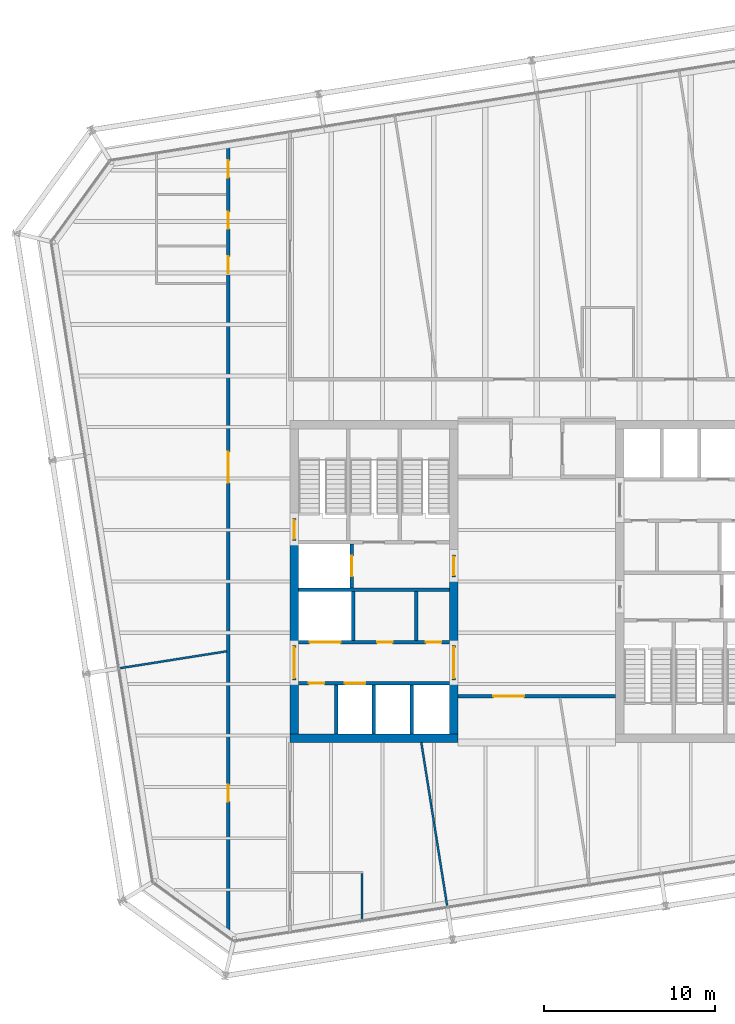
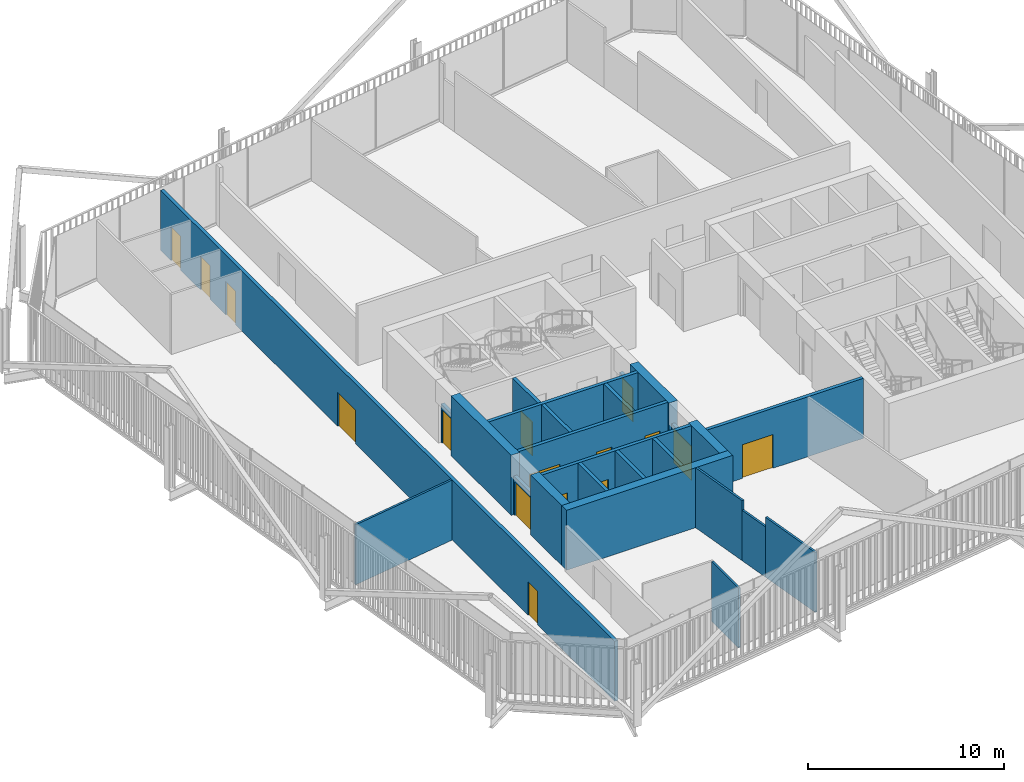
# One storey, part 17 of 21: 25 walls, 16 doors, 16 openings.
"""IFC4 building model written with IfcOpenShell, lengths in metres."""

from ifc_helpers import new_model, si_unit, direction, frame, frame_2d, origin, place, context, subcontext, project, spatial, rectangle, extrude, material, layer, layer_set, type_object, element, fill, save


model = new_model("IFC4")

# Units and contexts
model_context = context("Model", 3, precision=1e-05, world=origin(), true_north=direction((0.0, 1.0)))
body_context = subcontext(model_context, "Body", "Model", "MODEL_VIEW")
ifc_project = project(units=[si_unit("LENGTHUNIT", "METRE"), si_unit("AREAUNIT", "SQUARE_METRE"), si_unit("VOLUMEUNIT", "CUBIC_METRE"), si_unit("PLANEANGLEUNIT", "RADIAN"), si_unit("MASSUNIT", "GRAM", prefix="KILO")], contexts=[model_context])

# Site, building, storey
site_placement = place(None, origin())
site = spatial("IfcSite", under=ifc_project, at=site_placement, CompositionType="ELEMENT")
building_placement = place(site_placement, origin())
building = spatial("IfcBuilding", under=site, at=building_placement, Name="Millrace Tower", CompositionType="ELEMENT")
storey_placement = place(building_placement, frame((0.0, 0.0, 247.39990234375)))
storey = spatial("IfcBuildingStorey", under=building, at=storey_placement, Name="L56", CompositionType="ELEMENT", Elevation=247.39990234375)

# Walls
ifc_material_1 = material(Name="Concrete C60", Category="concrete")
ifc_layer_1 = layer(ifc_material_1, 0.5)
ifc_layer_set_1 = layer_set([ifc_layer_1], Name="Concrete C60")
wall_type_1 = type_object("IfcWallType", Name="Core wall 500 Concrete C60", PredefinedType="SHEAR", material=ifc_layer_set_1)
wall_1_placement = place(storey_placement, frame((-14.39990234375, -9.14990234375, 0.0), z_axis=(0.0, 0.0, 1.0), x_axis=(1.0, 0.0, 0.0)))
element("IfcWall", 1, at=wall_1_placement, inside=storey, type_object=wall_type_1, Name="Core wall W L56", PredefinedType="SHEAR", context=body_context, shape_type="SweptSolid", body=[
    extrude(rectangle(XDim=9.7998046875, YDim=0.5, at=frame_2d((4.89990234375, 0.0))), origin(), (0.0, 0.0, 1.0), 3.739990234375),
])
wall_2_placement = place(storey_placement, frame((-14.14990234375, -8.89990234375, 0.0), z_axis=(0.0, 0.0, 1.0), x_axis=(0.0, 1.0, 0.0)))
element("IfcWall", 2, at=wall_2_placement, inside=storey, type_object=wall_type_1, Name="Core wall W L56", PredefinedType="SHEAR", context=body_context, shape_type="SweptSolid", body=[
    extrude(rectangle(XDim=3.14990234375, YDim=0.5, at=frame_2d((1.574951171875, 0.0))), origin(), (0.0, 0.0, 1.0), 3.739990234375),
])
wall_3_placement = place(storey_placement, frame((-14.14990234375, -3.75, 0.0), z_axis=(0.0, 0.0, 1.0), x_axis=(0.0, 1.0, 0.0)))
element("IfcWall", 3, at=wall_3_placement, inside=storey, type_object=wall_type_1, Name="Core wall W L56", PredefinedType="SHEAR", context=body_context, shape_type="SweptSolid", body=[
    extrude(rectangle(XDim=6.1298828125, YDim=0.5, at=frame_2d((3.06494140625, 0.0))), origin(), (0.0, 0.0, 1.0), 3.739990234375),
])
wall_4_placement = place(storey_placement, frame((-4.85009765625, -8.89990234375, 0.0), z_axis=(0.0, 0.0, 1.0), x_axis=(0.0, 1.0, 0.0)))
element("IfcWall", 4, at=wall_4_placement, inside=storey, type_object=wall_type_1, Name="Core wall W L56", PredefinedType="SHEAR", context=body_context, shape_type="SweptSolid", body=[
    extrude(rectangle(XDim=3.14990234375, YDim=0.5, at=frame_2d((1.574951171875, 0.0))), origin(), (0.0, 0.0, 1.0), 3.739990234375),
])
wall_5_placement = place(storey_placement, frame((-4.85009765625, -3.75, 0.0), z_axis=(0.0, 0.0, 1.0), x_axis=(0.0, 1.0, 0.0)))
element("IfcWall", 5, at=wall_5_placement, inside=storey, type_object=wall_type_1, Name="Core wall W L56", PredefinedType="SHEAR", context=body_context, shape_type="SweptSolid", body=[
    extrude(rectangle(XDim=4.0, YDim=0.5, at=frame_2d((2.0, 0.0))), origin(), (0.0, 0.0, 1.0), 3.739990234375),
])

# Wall, opening, door
ifc_material_2 = material(Name="Masonry partition, fire-rated", Category="masonry")
ifc_layer_2 = layer(ifc_material_2, 0.199951171875)
ifc_layer_set_2 = layer_set([ifc_layer_2], Name="Masonry partition, fire-rated")
wall_type_2 = type_object("IfcWallType", Name="Corridor wall 200", PredefinedType="PARTITIONING", material=ifc_layer_set_2)
wall_6_placement = place(storey_placement, frame((-4.60009765625, -6.699951171875, 0.0), z_axis=(0.0, 0.0, 1.0), x_axis=(1.0, 0.0, 0.0)))
wall_6 = element("IfcWall", 6, at=wall_6_placement, inside=storey, type_object=wall_type_2, Name="Corridor wall L56", PredefinedType="PARTITIONING", context=body_context, shape_type="SweptSolid", body=[
    extrude(rectangle(XDim=9.2001953125, YDim=0.199951171875, at=frame_2d((4.60009765625, 0.0))), origin(), (0.0, 0.0, 1.0), 3.739990234375),
])
opening_1_placement = place(wall_6_placement, frame((2.070068359375, 0.0, 0.0)))
opening_1 = element("IfcOpeningElement", 7, at=opening_1_placement, cuts=wall_6, Name="Opening 56-P013", PredefinedType="OPENING", context=body_context, shape_type="SweptSolid", body=[
    extrude(rectangle(XDim=1.800048828125, YDim=2.10009765625, at=frame_2d((0.89990234375, 1.050048828125))), frame((0.0, 0.10986328125, 0.0), z_axis=(0.0, -1.0, 0.0), x_axis=(1.0, 0.0, 0.0)), (0.0, 0.0, 1.0), 0.219970703125),
])
ifc_material_3 = material(Name="Steel door set, fire-rated", Category="steel")
door_type_1 = type_object("IfcDoorType", Name="Corridor door 1800 x 2100", OperationType="DOUBLE_DOOR_SINGLE_SWING", PredefinedType="DOOR", material=ifc_material_3)
door_1_placement = place(opening_1_placement, frame((1.800048828125, 0.0, 0.0), z_axis=(0.0, 0.0, 1.0), x_axis=(-1.0, 0.0, 0.0)))
door_1 = element("IfcDoor", 8, at=door_1_placement, inside=storey, type_object=door_type_1, Name="Door 56-P013", OperationType="DOUBLE_DOOR_SINGLE_SWING", OverallHeight=2.10009765625, OverallWidth=1.800048828125, PredefinedType="DOOR", context=body_context, shape_type="SweptSolid", body=[
    extrude(rectangle(XDim=1.800048828125, YDim=2.10009765625, at=frame_2d((0.89990234375, 1.050048828125))), frame((0.0, 0.02490234375, 0.0), z_axis=(0.0, -1.0, 0.0), x_axis=(1.0, 0.0, 0.0)), (0.0, 0.0, 1.0), 0.050048828125),
])
fill(opening_1, door_1)

# Wall, openings, doors
wall_7_placement = place(storey_placement, frame((-18.0, -20.72021484375, 0.0), z_axis=(0.0, 0.0, 1.0), x_axis=(0.0, 1.0, 0.0)))
wall_7 = element("IfcWall", 9, at=wall_7_placement, inside=storey, type_object=wall_type_2, Name="Corridor wall L56", PredefinedType="PARTITIONING", context=body_context, shape_type="SweptSolid", body=[
    extrude(rectangle(XDim=46.34814453125, YDim=0.199951171875, at=frame_2d((23.174072265625, 0.0))), origin(), (0.0, 0.0, 1.0), 3.739990234375),
])
opening_2_placement = place(wall_7_placement, frame((7.857177734375, 0.0, 0.0)))
opening_2 = element("IfcOpeningElement", 10, at=opening_2_placement, cuts=wall_7, Name="Opening 56-P003", PredefinedType="OPENING", context=body_context, shape_type="SweptSolid", body=[
    extrude(rectangle(XDim=1.0, YDim=2.10009765625, at=frame_2d((0.5, 1.050048828125))), frame((0.0, 0.10986328125, 0.0), z_axis=(0.0, -1.0, 0.0), x_axis=(1.0, 0.0, 0.0)), (0.0, 0.0, 1.0), 0.219970703125),
])
opening_3_placement = place(wall_7_placement, frame((26.474853515625, 0.0, 0.0)))
opening_3 = element("IfcOpeningElement", 11, at=opening_3_placement, cuts=wall_7, Name="Opening 56-P004", PredefinedType="OPENING", context=body_context, shape_type="SweptSolid", body=[
    extrude(rectangle(XDim=1.800048828125, YDim=2.10009765625, at=frame_2d((0.89990234375, 1.050048828125))), frame((0.0, 0.10986328125, 0.0), z_axis=(0.0, -1.0, 0.0), x_axis=(1.0, 0.0, 0.0)), (0.0, 0.0, 1.0), 0.219970703125),
])
opening_4_placement = place(wall_7_placement, frame((44.29736328125, 0.0, 0.0)))
opening_4 = element("IfcOpeningElement", 12, at=opening_4_placement, cuts=wall_7, Name="Opening 56-P015", PredefinedType="OPENING", context=body_context, shape_type="SweptSolid", body=[
    extrude(rectangle(XDim=1.0, YDim=2.10009765625, at=frame_2d((0.5, 1.050048828125))), frame((0.0, 0.10986328125, 0.0), z_axis=(0.0, -1.0, 0.0), x_axis=(1.0, 0.0, 0.0)), (0.0, 0.0, 1.0), 0.219970703125),
])
opening_5_placement = place(wall_7_placement, frame((41.29736328125, 0.0, 0.0)))
opening_5 = element("IfcOpeningElement", 13, at=opening_5_placement, cuts=wall_7, Name="Opening 56-P016", PredefinedType="OPENING", context=body_context, shape_type="SweptSolid", body=[
    extrude(rectangle(XDim=1.0, YDim=2.10009765625, at=frame_2d((0.5, 1.050048828125))), frame((0.0, 0.10986328125, 0.0), z_axis=(0.0, -1.0, 0.0), x_axis=(1.0, 0.0, 0.0)), (0.0, 0.0, 1.0), 0.219970703125),
])
opening_6_placement = place(wall_7_placement, frame((38.697265625, 0.0, 0.0)))
opening_6 = element("IfcOpeningElement", 14, at=opening_6_placement, cuts=wall_7, Name="Opening 56-P017", PredefinedType="OPENING", context=body_context, shape_type="SweptSolid", body=[
    extrude(rectangle(XDim=1.0, YDim=2.10009765625, at=frame_2d((0.5, 1.050048828125))), frame((0.0, 0.10986328125, 0.0), z_axis=(0.0, -1.0, 0.0), x_axis=(1.0, 0.0, 0.0)), (0.0, 0.0, 1.0), 0.219970703125),
])
ifc_material_4 = material(Name="Steel door set, fire-rated", Category="steel")
door_type_2 = type_object("IfcDoorType", Name="Corridor door 1000 x 2100", OperationType="SINGLE_SWING_LEFT", PredefinedType="DOOR", material=ifc_material_4)
door_2_placement = place(opening_2_placement, origin())
door_2 = element("IfcDoor", 15, at=door_2_placement, inside=storey, type_object=door_type_2, Name="Door 56-P003", OperationType="SINGLE_SWING_LEFT", OverallHeight=2.10009765625, OverallWidth=1.0, PredefinedType="DOOR", context=body_context, shape_type="SweptSolid", body=[
    extrude(rectangle(XDim=1.0, YDim=2.10009765625, at=frame_2d((0.5, 1.050048828125))), frame((0.0, 0.02490234375, 0.0), z_axis=(0.0, -1.0, 0.0), x_axis=(1.0, 0.0, 0.0)), (0.0, 0.0, 1.0), 0.050048828125),
])
fill(opening_2, door_2)
door_3_placement = place(opening_4_placement, origin())
door_3 = element("IfcDoor", 16, at=door_3_placement, inside=storey, type_object=door_type_2, Name="Door 56-P015", OperationType="SINGLE_SWING_RIGHT", OverallHeight=2.10009765625, OverallWidth=1.0, PredefinedType="DOOR", context=body_context, shape_type="SweptSolid", body=[
    extrude(rectangle(XDim=1.0, YDim=2.10009765625, at=frame_2d((0.5, 1.050048828125))), frame((0.0, 0.02490234375, 0.0), z_axis=(0.0, -1.0, 0.0), x_axis=(1.0, 0.0, 0.0)), (0.0, 0.0, 1.0), 0.050048828125),
])
fill(opening_4, door_3)
door_4_placement = place(opening_5_placement, origin())
door_4 = element("IfcDoor", 17, at=door_4_placement, inside=storey, type_object=door_type_2, Name="Door 56-P016", OperationType="SINGLE_SWING_RIGHT", OverallHeight=2.10009765625, OverallWidth=1.0, PredefinedType="DOOR", context=body_context, shape_type="SweptSolid", body=[
    extrude(rectangle(XDim=1.0, YDim=2.10009765625, at=frame_2d((0.5, 1.050048828125))), frame((0.0, 0.02490234375, 0.0), z_axis=(0.0, -1.0, 0.0), x_axis=(1.0, 0.0, 0.0)), (0.0, 0.0, 1.0), 0.050048828125),
])
fill(opening_5, door_4)
door_5_placement = place(opening_6_placement, origin())
door_5 = element("IfcDoor", 18, at=door_5_placement, inside=storey, type_object=door_type_2, Name="Door 56-P017", OperationType="SINGLE_SWING_RIGHT", OverallHeight=2.10009765625, OverallWidth=1.0, PredefinedType="DOOR", context=body_context, shape_type="SweptSolid", body=[
    extrude(rectangle(XDim=1.0, YDim=2.10009765625, at=frame_2d((0.5, 1.050048828125))), frame((0.0, 0.02490234375, 0.0), z_axis=(0.0, -1.0, 0.0), x_axis=(1.0, 0.0, 0.0)), (0.0, 0.0, 1.0), 0.050048828125),
])
fill(opening_6, door_5)
door_6_placement = place(opening_3_placement, frame((1.800048828125, 0.0, 0.0), z_axis=(0.0, 0.0, 1.0), x_axis=(-1.0, 0.0, 0.0)))
door_6 = element("IfcDoor", 19, at=door_6_placement, inside=storey, type_object=door_type_1, Name="Door 56-P004", OperationType="DOUBLE_DOOR_SINGLE_SWING", OverallHeight=2.10009765625, OverallWidth=1.800048828125, PredefinedType="DOOR", context=body_context, shape_type="SweptSolid", body=[
    extrude(rectangle(XDim=1.800048828125, YDim=2.10009765625, at=frame_2d((0.89990234375, 1.050048828125))), frame((0.0, 0.02490234375, 0.0), z_axis=(0.0, -1.0, 0.0), x_axis=(1.0, 0.0, 0.0)), (0.0, 0.0, 1.0), 0.050048828125),
])
fill(opening_3, door_6)

ifc_material_5 = material(Name="Masonry partition, fire-rated", Category="masonry")
ifc_layer_3 = layer(ifc_material_5, 0.199951171875)
ifc_layer_set_3 = layer_set([ifc_layer_3], Name="Masonry partition, fire-rated")
wall_type_3 = type_object("IfcWallType", Name="Lift shaft wall 200", PredefinedType="PARTITIONING", material=ifc_layer_set_3)
wall_8_placement = place(storey_placement, frame((-13.89990234375, -5.949951171875, 0.0), z_axis=(0.0, 0.0, 1.0), x_axis=(1.0, 0.0, 0.0)))
wall_8 = element("IfcWall", 20, at=wall_8_placement, inside=storey, type_object=wall_type_3, Name="Lift shaft wall W L56", PredefinedType="PARTITIONING", context=body_context, shape_type="SweptSolid", body=[
    extrude(rectangle(XDim=8.7998046875, YDim=0.199951171875, at=frame_2d((4.39990234375, 0.0))), origin(), (0.0, 0.0, 1.0), 3.739990234375),
])
opening_7_placement = place(wall_8_placement, frame((2.699951171875, 0.0, 0.0)))
opening_7 = element("IfcOpeningElement", 21, at=opening_7_placement, cuts=wall_8, Name="Opening 56-LD02", PredefinedType="OPENING", context=body_context, shape_type="SweptSolid", body=[
    extrude(rectangle(XDim=1.199951171875, YDim=2.10009765625, at=frame_2d((0.60009765625, 1.050048828125))), frame((0.0, 0.10986328125, 0.0), z_axis=(0.0, -1.0, 0.0), x_axis=(1.0, 0.0, 0.0)), (0.0, 0.0, 1.0), 0.219970703125),
])
opening_8_placement = place(wall_8_placement, frame((0.60009765625, 0.0, 0.0)))
opening_8 = element("IfcOpeningElement", 22, at=opening_8_placement, cuts=wall_8, Name="Opening 56-C005", PredefinedType="OPENING", context=body_context, shape_type="SweptSolid", body=[
    extrude(rectangle(XDim=0.89990234375, YDim=2.10009765625, at=frame_2d((0.449951171875, 1.050048828125))), frame((0.0, 0.10986328125, 0.0), z_axis=(0.0, -1.0, 0.0), x_axis=(1.0, 0.0, 0.0)), (0.0, 0.0, 1.0), 0.219970703125),
])
ifc_material_6 = material(Name="Stainless steel, fire-rated", Category="steel")
door_type_3 = type_object("IfcDoorType", Name="Lift landing door 1200 x 2100", OperationType="DOUBLE_DOOR_SLIDING", PredefinedType="DOOR", material=ifc_material_6)
door_7_placement = place(opening_7_placement, origin())
door_7 = element("IfcDoor", 23, at=door_7_placement, inside=storey, type_object=door_type_3, Name="Lift landing door LF2 L56", OperationType="DOUBLE_DOOR_SLIDING", OverallHeight=2.10009765625, OverallWidth=1.199951171875, PredefinedType="DOOR", context=body_context, shape_type="SweptSolid", body=[
    extrude(rectangle(XDim=1.199951171875, YDim=2.10009765625, at=frame_2d((0.60009765625, 1.050048828125))), frame((0.0, 0.02490234375, 0.0), z_axis=(0.0, -1.0, 0.0), x_axis=(1.0, 0.0, 0.0)), (0.0, 0.0, 1.0), 0.050048828125),
])
fill(opening_7, door_7)
ifc_material_7 = material(Name="Steel door, fire-rated", Category="steel")
door_type_4 = type_object("IfcDoorType", Name="Service room door 900 x 2100", OperationType="SINGLE_SWING_LEFT", PredefinedType="DOOR", material=ifc_material_7)
door_8_placement = place(opening_8_placement, frame((0.89990234375, 0.0, 0.0), z_axis=(0.0, 0.0, 1.0), x_axis=(-1.0, 0.0, 0.0)))
door_8 = element("IfcDoor", 24, at=door_8_placement, inside=storey, type_object=door_type_4, Name="Service room door 56-C005", OperationType="SINGLE_SWING_RIGHT", OverallHeight=2.10009765625, OverallWidth=0.89990234375, PredefinedType="DOOR", context=body_context, shape_type="SweptSolid", body=[
    extrude(rectangle(XDim=0.89990234375, YDim=2.10009765625, at=frame_2d((0.449951171875, 1.050048828125))), frame((0.0, 0.02490234375, 0.0), z_axis=(0.0, -1.0, 0.0), x_axis=(1.0, 0.0, 0.0)), (0.0, 0.0, 1.0), 0.050048828125),
])
fill(opening_8, door_8)

wall_9_placement = place(storey_placement, frame((-13.89990234375, -3.550048828125, 0.0), z_axis=(0.0, 0.0, 1.0), x_axis=(1.0, 0.0, 0.0)))
wall_9 = element("IfcWall", 25, at=wall_9_placement, inside=storey, type_object=wall_type_3, Name="Lift shaft wall W L56", PredefinedType="PARTITIONING", context=body_context, shape_type="SweptSolid", body=[
    extrude(rectangle(XDim=8.7998046875, YDim=0.199951171875, at=frame_2d((4.39990234375, 0.0))), origin(), (0.0, 0.0, 1.0), 3.739990234375),
])
opening_9_placement = place(wall_9_placement, frame((0.64990234375, 0.0, 0.0)))
opening_9 = element("IfcOpeningElement", 26, at=opening_9_placement, cuts=wall_9, Name="Opening 56-LD05", PredefinedType="OPENING", context=body_context, shape_type="SweptSolid", body=[
    extrude(rectangle(XDim=1.800048828125, YDim=2.10009765625, at=frame_2d((0.89990234375, 1.050048828125))), frame((0.0, 0.10986328125, 0.0), z_axis=(0.0, -1.0, 0.0), x_axis=(1.0, 0.0, 0.0)), (0.0, 0.0, 1.0), 0.219970703125),
])
opening_10_placement = place(wall_9_placement, frame((4.58740234375, 0.0, 0.0)))
opening_10 = element("IfcOpeningElement", 27, at=opening_10_placement, cuts=wall_9, Name="Opening 56-C006", PredefinedType="OPENING", context=body_context, shape_type="SweptSolid", body=[
    extrude(rectangle(XDim=0.89990234375, YDim=2.10009765625, at=frame_2d((0.449951171875, 1.050048828125))), frame((0.0, 0.10986328125, 0.0), z_axis=(0.0, -1.0, 0.0), x_axis=(1.0, 0.0, 0.0)), (0.0, 0.0, 1.0), 0.219970703125),
])
opening_11_placement = place(wall_9_placement, frame((7.4375, 0.0, 0.0)))
opening_11 = element("IfcOpeningElement", 28, at=opening_11_placement, cuts=wall_9, Name="Opening 56-C007", PredefinedType="OPENING", context=body_context, shape_type="SweptSolid", body=[
    extrude(rectangle(XDim=0.89990234375, YDim=2.10009765625, at=frame_2d((0.449951171875, 1.050048828125))), frame((0.0, 0.10986328125, 0.0), z_axis=(0.0, -1.0, 0.0), x_axis=(1.0, 0.0, 0.0)), (0.0, 0.0, 1.0), 0.219970703125),
])
ifc_material_8 = material(Name="Stainless steel, fire-rated", Category="steel")
door_type_5 = type_object("IfcDoorType", Name="Lift landing door 1800 x 2100", OperationType="DOUBLE_DOOR_SLIDING", PredefinedType="DOOR", material=ifc_material_8)
door_9_placement = place(opening_9_placement, origin())
door_9 = element("IfcDoor", 29, at=door_9_placement, inside=storey, type_object=door_type_5, Name="Lift landing door LF5 L56", OperationType="DOUBLE_DOOR_SLIDING", OverallHeight=2.10009765625, OverallWidth=1.800048828125, PredefinedType="DOOR", context=body_context, shape_type="SweptSolid", body=[
    extrude(rectangle(XDim=1.800048828125, YDim=2.10009765625, at=frame_2d((0.89990234375, 1.050048828125))), frame((0.0, 0.02490234375, 0.0), z_axis=(0.0, -1.0, 0.0), x_axis=(1.0, 0.0, 0.0)), (0.0, 0.0, 1.0), 0.050048828125),
])
fill(opening_9, door_9)
door_10_placement = place(opening_10_placement, origin())
door_10 = element("IfcDoor", 30, at=door_10_placement, inside=storey, type_object=door_type_4, Name="Service room door 56-C006", OperationType="SINGLE_SWING_RIGHT", OverallHeight=2.10009765625, OverallWidth=0.89990234375, PredefinedType="DOOR", context=body_context, shape_type="SweptSolid", body=[
    extrude(rectangle(XDim=0.89990234375, YDim=2.10009765625, at=frame_2d((0.449951171875, 1.050048828125))), frame((0.0, 0.02490234375, 0.0), z_axis=(0.0, -1.0, 0.0), x_axis=(1.0, 0.0, 0.0)), (0.0, 0.0, 1.0), 0.050048828125),
])
fill(opening_10, door_10)
door_11_placement = place(opening_11_placement, origin())
door_11 = element("IfcDoor", 31, at=door_11_placement, inside=storey, type_object=door_type_4, Name="Service room door 56-C007", OperationType="SINGLE_SWING_RIGHT", OverallHeight=2.10009765625, OverallWidth=0.89990234375, PredefinedType="DOOR", context=body_context, shape_type="SweptSolid", body=[
    extrude(rectangle(XDim=0.89990234375, YDim=2.10009765625, at=frame_2d((0.449951171875, 1.050048828125))), frame((0.0, 0.02490234375, 0.0), z_axis=(0.0, -1.0, 0.0), x_axis=(1.0, 0.0, 0.0)), (0.0, 0.0, 1.0), 0.050048828125),
])
fill(opening_11, door_11)

# Wall
wall_10_placement = place(storey_placement, frame((-13.89990234375, -0.5, 0.0), z_axis=(0.0, 0.0, 1.0), x_axis=(1.0, 0.0, 0.0)))
element("IfcWall", 32, at=wall_10_placement, inside=storey, type_object=wall_type_3, Name="Lift shaft wall W L56", PredefinedType="PARTITIONING", context=body_context, shape_type="SweptSolid", body=[
    extrude(rectangle(XDim=8.7998046875, YDim=0.199951171875, at=frame_2d((4.39990234375, 0.0))), origin(), (0.0, 0.0, 1.0), 3.739990234375),
])

# Wall, opening, door
wall_11_placement = place(storey_placement, frame((-10.800048828125, -0.39990234375, 0.0), z_axis=(0.0, 0.0, 1.0), x_axis=(0.0, 1.0, 0.0)))
wall_11 = element("IfcWall", 33, at=wall_11_placement, inside=storey, type_object=wall_type_3, Name="Lift shaft wall W L56", PredefinedType="PARTITIONING", context=body_context, shape_type="SweptSolid", body=[
    extrude(rectangle(XDim=2.579833984375, YDim=0.199951171875, at=frame_2d((1.2900390625, 0.0))), origin(), (0.0, 0.0, 1.0), 3.739990234375),
])
opening_12_placement = place(wall_11_placement, frame((0.68994140625, 0.0, 0.0)))
opening_12 = element("IfcOpeningElement", 34, at=opening_12_placement, cuts=wall_11, Name="Opening 56-LD08", PredefinedType="OPENING", context=body_context, shape_type="SweptSolid", body=[
    extrude(rectangle(XDim=1.199951171875, YDim=2.10009765625, at=frame_2d((0.60009765625, 1.050048828125))), frame((0.0, 0.10986328125, 0.0), z_axis=(0.0, -1.0, 0.0), x_axis=(1.0, 0.0, 0.0)), (0.0, 0.0, 1.0), 0.219970703125),
])
door_12_placement = place(opening_12_placement, origin())
door_12 = element("IfcDoor", 35, at=door_12_placement, inside=storey, type_object=door_type_3, Name="Lift landing door LF8 L56", OperationType="DOUBLE_DOOR_SLIDING", OverallHeight=2.10009765625, OverallWidth=1.199951171875, PredefinedType="DOOR", context=body_context, shape_type="SweptSolid", body=[
    extrude(rectangle(XDim=1.199951171875, YDim=2.10009765625, at=frame_2d((0.60009765625, 1.050048828125))), frame((0.0, 0.02490234375, 0.0), z_axis=(0.0, -1.0, 0.0), x_axis=(1.0, 0.0, 0.0)), (0.0, 0.0, 1.0), 0.050048828125),
])
fill(opening_12, door_12)

# Walls
for number, where, z_axis, x_axis, name in (
    (36, (-11.699951171875, -8.89990234375, 0.0), (0.0, 0.0, 1.0), (0.0, 1.0, 0.0), "Lift shaft wall W L56"),
    (37, (-9.5, -8.89990234375, 0.0), (0.0, 0.0, 1.0), (0.0, 1.0, 0.0), "Lift shaft wall W L56"),
    (38, (-7.300048828125, -8.89990234375, 0.0), (0.0, 0.0, 1.0), (0.0, 1.0, 0.0), "Lift shaft wall W L56"),
    (39, (-10.699951171875, -3.449951171875, 0.0), (0.0, 0.0, 1.0), (0.0, 1.0, 0.0), "Lift shaft wall W L56"),
):
    element("IfcWall", number, at=place(storey_placement, frame(where, z_axis=z_axis, x_axis=x_axis)), inside=storey, type_object=wall_type_3, Name=name, PredefinedType="PARTITIONING", context=body_context, shape_type="SweptSolid", body=[
        extrude(rectangle(XDim=2.849853515625, YDim=0.199951171875, at=frame_2d((1.4248046875, 0.0))), origin(), (0.0, 0.0, 1.0), 3.739990234375),
    ])

# Wall, opening, door
ifc_material_9 = material(Name="Masonry partition, fire-rated", Category="masonry")
ifc_layer_4 = layer(ifc_material_9, 0.199951171875)
ifc_layer_set_4 = layer_set([ifc_layer_4], Name="Masonry partition, fire-rated")
wall_type_4 = type_object("IfcWallType", Name="Lobby wall 200", PredefinedType="PARTITIONING", material=ifc_layer_set_4)
wall_12_placement = place(storey_placement, frame((-14.14990234375, -5.75, 0.0), z_axis=(0.0, 0.0, 1.0), x_axis=(0.0, 1.0, 0.0)))
wall_12 = element("IfcWall", 40, at=wall_12_placement, inside=storey, type_object=wall_type_4, Name="Lobby wall W L56", PredefinedType="PARTITIONING", context=body_context, shape_type="SweptSolid", body=[
    extrude(rectangle(XDim=2.0, YDim=0.199951171875, at=frame_2d((1.0, 0.0))), origin(), (0.0, 0.0, 1.0), 2.400146484375),
])
opening_13_placement = place(wall_12_placement, frame((0.10009765625, 0.0, 0.0)))
opening_13 = element("IfcOpeningElement", 41, at=opening_13_placement, cuts=wall_12, Name="Opening 56-C001", PredefinedType="OPENING", context=body_context, shape_type="SweptSolid", body=[
    extrude(rectangle(XDim=1.800048828125, YDim=2.10009765625, at=frame_2d((0.89990234375, 1.050048828125))), frame((0.0, 0.10986328125, 0.0), z_axis=(0.0, -1.0, 0.0), x_axis=(1.0, 0.0, 0.0)), (0.0, 0.0, 1.0), 0.219970703125),
])
ifc_material_10 = material(Name="Steel door, fire-rated", Category="steel")
door_type_6 = type_object("IfcDoorType", Name="Lobby door 1800 x 2100", OperationType="DOUBLE_DOOR_SINGLE_SWING", PredefinedType="DOOR", material=ifc_material_10)
door_13_placement = place(opening_13_placement, origin())
door_13 = element("IfcDoor", 42, at=door_13_placement, inside=storey, type_object=door_type_6, Name="Lobby door 56-C001", OperationType="DOUBLE_DOOR_SINGLE_SWING", OverallHeight=2.10009765625, OverallWidth=1.800048828125, PredefinedType="DOOR", context=body_context, shape_type="SweptSolid", body=[
    extrude(rectangle(XDim=1.800048828125, YDim=2.10009765625, at=frame_2d((0.89990234375, 1.050048828125))), frame((0.0, 0.02490234375, 0.0), z_axis=(0.0, -1.0, 0.0), x_axis=(1.0, 0.0, 0.0)), (0.0, 0.0, 1.0), 0.050048828125),
])
fill(opening_13, door_13)

wall_13_placement = place(storey_placement, frame((-4.85009765625, -5.75, 0.0), z_axis=(0.0, 0.0, 1.0), x_axis=(0.0, 1.0, 0.0)))
wall_13 = element("IfcWall", 43, at=wall_13_placement, inside=storey, type_object=wall_type_4, Name="Lobby wall W L56", PredefinedType="PARTITIONING", context=body_context, shape_type="SweptSolid", body=[
    extrude(rectangle(XDim=2.0, YDim=0.199951171875, at=frame_2d((1.0, 0.0))), origin(), (0.0, 0.0, 1.0), 2.400146484375),
])
opening_14_placement = place(wall_13_placement, frame((0.10009765625, 0.0, 0.0)))
opening_14 = element("IfcOpeningElement", 44, at=opening_14_placement, cuts=wall_13, Name="Opening 56-C003", PredefinedType="OPENING", context=body_context, shape_type="SweptSolid", body=[
    extrude(rectangle(XDim=1.800048828125, YDim=2.10009765625, at=frame_2d((0.89990234375, 1.050048828125))), frame((0.0, 0.10986328125, 0.0), z_axis=(0.0, -1.0, 0.0), x_axis=(1.0, 0.0, 0.0)), (0.0, 0.0, 1.0), 0.219970703125),
])
door_14_placement = place(opening_14_placement, frame((1.800048828125, 0.0, 0.0), z_axis=(0.0, 0.0, 1.0), x_axis=(-1.0, 0.0, 0.0)))
door_14 = element("IfcDoor", 45, at=door_14_placement, inside=storey, type_object=door_type_6, Name="Lobby door 56-C003", OperationType="DOUBLE_DOOR_SINGLE_SWING", OverallHeight=2.10009765625, OverallWidth=1.800048828125, PredefinedType="DOOR", context=body_context, shape_type="SweptSolid", body=[
    extrude(rectangle(XDim=1.800048828125, YDim=2.10009765625, at=frame_2d((0.89990234375, 1.050048828125))), frame((0.0, 0.02490234375, 0.0), z_axis=(0.0, -1.0, 0.0), x_axis=(1.0, 0.0, 0.0)), (0.0, 0.0, 1.0), 0.050048828125),
])
fill(opening_14, door_14)

wall_14_placement = place(storey_placement, frame((-4.85009765625, 0.25, 0.0), z_axis=(0.0, 0.0, 1.0), x_axis=(0.0, 1.0, 0.0)))
wall_14 = element("IfcWall", 46, at=wall_14_placement, inside=storey, type_object=wall_type_4, Name="Lobby wall W L56", PredefinedType="PARTITIONING", context=body_context, shape_type="SweptSolid", body=[
    extrude(rectangle(XDim=1.300048828125, YDim=0.199951171875, at=frame_2d((0.64990234375, 0.0))), origin(), (0.0, 0.0, 1.0), 2.400146484375),
])
opening_15_placement = place(wall_14_placement, frame((0.10009765625, 0.0, 0.0)))
opening_15 = element("IfcOpeningElement", 47, at=opening_15_placement, cuts=wall_14, Name="Opening 56-C004", PredefinedType="OPENING", context=body_context, shape_type="SweptSolid", body=[
    extrude(rectangle(XDim=1.10009765625, YDim=2.10009765625, at=frame_2d((0.550048828125, 1.050048828125))), frame((0.0, 0.10986328125, 0.0), z_axis=(0.0, -1.0, 0.0), x_axis=(1.0, 0.0, 0.0)), (0.0, 0.0, 1.0), 0.219970703125),
])
ifc_material_11 = material(Name="Steel door, fire-rated", Category="steel")
door_type_7 = type_object("IfcDoorType", Name="Lobby door 1100 x 2100", OperationType="SINGLE_SWING_LEFT", PredefinedType="DOOR", material=ifc_material_11)
door_15_placement = place(opening_15_placement, frame((1.10009765625, 0.0, 0.0), z_axis=(0.0, 0.0, 1.0), x_axis=(-1.0, 0.0, 0.0)))
door_15 = element("IfcDoor", 48, at=door_15_placement, inside=storey, type_object=door_type_7, Name="Lobby door 56-C004", OperationType="SINGLE_SWING_LEFT", OverallHeight=2.10009765625, OverallWidth=1.10009765625, PredefinedType="DOOR", context=body_context, shape_type="SweptSolid", body=[
    extrude(rectangle(XDim=1.10009765625, YDim=2.10009765625, at=frame_2d((0.550048828125, 1.050048828125))), frame((0.0, 0.02490234375, 0.0), z_axis=(0.0, -1.0, 0.0), x_axis=(1.0, 0.0, 0.0)), (0.0, 0.0, 1.0), 0.050048828125),
])
fill(opening_15, door_15)

# Walls
ifc_material_12 = material(Name="Gypsum board partition")
ifc_layer_5 = layer(ifc_material_12, 0.1201171875)
ifc_layer_set_5 = layer_set([ifc_layer_5], Name="Gypsum board partition")
wall_type_5 = type_object("IfcWallType", Name="Partition wall 120", PredefinedType="PARTITIONING", material=ifc_layer_set_5)
wall_15_placement = place(storey_placement, frame((-6.737060546875, -9.39990234375, 0.0), z_axis=(0.0, 0.0, 1.0), x_axis=(0.156382059487, -0.987696639394, 0.0)))
element("IfcWall", 49, at=wall_15_placement, inside=storey, type_object=wall_type_5, Name="Partition wall L56", PredefinedType="PARTITIONING", context=body_context, shape_type="SweptSolid", body=[
    extrude(rectangle(XDim=3.765625, YDim=0.1201171875, at=frame_2d((1.8828125, 0.0))), origin(), (0.0, 0.0, 1.0), 3.739990234375),
])
wall_16_placement = place(storey_placement, frame((-6.148193359375, -13.119140625, 0.0), z_axis=(0.0, 0.0, 1.0), x_axis=(0.1562533807, -0.987717004521, 0.0)))
element("IfcWall", 50, at=wall_16_placement, inside=storey, type_object=wall_type_5, Name="Partition wall L56", PredefinedType="PARTITIONING", context=body_context, shape_type="SweptSolid", body=[
    extrude(rectangle(XDim=1.896728515625, YDim=0.1201171875, at=frame_2d((0.9482421875, 0.0))), origin(), (0.0, 0.0, 1.0), 3.140625),
])
wall_17_placement = place(storey_placement, frame((-5.851806640625, -14.99267578125, 0.0), z_axis=(0.0, 0.0, 1.0), x_axis=(0.15636605837, -0.987699172719, 0.0)))
element("IfcWall", 51, at=wall_17_placement, inside=storey, type_object=wall_type_5, Name="Partition wall L56", PredefinedType="PARTITIONING", context=body_context, shape_type="SweptSolid", body=[
    extrude(rectangle(XDim=4.039306640625, YDim=0.1201171875, at=frame_2d((2.01953125, 0.0))), origin(), (0.0, 0.0, 1.0), 3.739990234375),
])
wall_18_placement = place(storey_placement, frame((-24.361083984375, -5.07470703125, 0.0), z_axis=(0.0, 0.0, 1.0), x_axis=(0.98770951775, 0.156300699125, 0.0)))
element("IfcWall", 52, at=wall_18_placement, inside=storey, type_object=wall_type_5, Name="Partition wall L56", PredefinedType="PARTITIONING", context=body_context, shape_type="SweptSolid", body=[
    extrude(rectangle(XDim=6.340087890625, YDim=0.1201171875, at=frame_2d((3.169921875, 0.0))), origin(), (0.0, 0.0, 1.0), 3.739990234375),
])
wall_19_placement = place(storey_placement, frame((-10.199951171875, -19.770751953125, 0.0), z_axis=(0.0, 0.0, 1.0), x_axis=(0.0, 1.0, 0.0)))
element("IfcWall", 53, at=wall_19_placement, inside=storey, type_object=wall_type_5, Name="Partition wall L56", PredefinedType="PARTITIONING", context=body_context, shape_type="SweptSolid", body=[
    extrude(rectangle(XDim=2.725830078125, YDim=0.1201171875, at=frame_2d((1.36279296875, 0.0))), origin(), (0.0, 0.0, 1.0), 3.739990234375),
])
ifc_material_13 = material(Name="Masonry partition, fire-rated", Category="masonry")
ifc_layer_6 = layer(ifc_material_13, 0.199951171875)
ifc_layer_set_6 = layer_set([ifc_layer_6], Name="Masonry partition, fire-rated")
wall_type_6 = type_object("IfcWallType", Name="Room partition 200", PredefinedType="PARTITIONING", material=ifc_layer_set_6)
wall_20_placement = place(storey_placement, frame((-7.02490234375, -3.449951171875, 0.0), z_axis=(0.0, 0.0, 1.0), x_axis=(0.0, 1.0, 0.0)))
element("IfcWall", 54, at=wall_20_placement, inside=storey, type_object=wall_type_6, Name="Room partition W L56", PredefinedType="PARTITIONING", context=body_context, shape_type="SweptSolid", body=[
    extrude(rectangle(XDim=2.849853515625, YDim=0.199951171875, at=frame_2d((1.4248046875, 0.0))), origin(), (0.0, 0.0, 1.0), 3.739990234375),
])

# Wall, opening, door
ifc_material_14 = material(Name="Concrete C40", Category="concrete")
ifc_layer_7 = layer(ifc_material_14, 0.199951171875)
ifc_layer_set_7 = layer_set([ifc_layer_7], Name="Concrete C40")
wall_type_7 = type_object("IfcWallType", Name="Stair enclosure wall 200 Concrete C40", PredefinedType="SHEAR", material=ifc_layer_set_7)
wall_21_placement = place(storey_placement, frame((-14.14990234375, 2.3798828125, 0.0), z_axis=(0.0, 0.0, 1.0), x_axis=(0.0, 1.0, 0.0)))
wall_21 = element("IfcWall", 55, at=wall_21_placement, inside=storey, type_object=wall_type_7, Name="Stair enclosure wall W L56", PredefinedType="SHEAR", context=body_context, shape_type="SweptSolid", body=[
    extrude(rectangle(XDim=1.300048828125, YDim=0.199951171875, at=frame_2d((0.64990234375, 0.0))), origin(), (0.0, 0.0, 1.0), 2.400146484375),
])
opening_16_placement = place(wall_21_placement, frame((0.10009765625, 0.0, 0.0)))
opening_16 = element("IfcOpeningElement", 56, at=opening_16_placement, cuts=wall_21, Name="Opening 56-C002", PredefinedType="OPENING", context=body_context, shape_type="SweptSolid", body=[
    extrude(rectangle(XDim=1.10009765625, YDim=2.10009765625, at=frame_2d((0.550048828125, 1.050048828125))), frame((0.0, 0.10986328125, 0.0), z_axis=(0.0, -1.0, 0.0), x_axis=(1.0, 0.0, 0.0)), (0.0, 0.0, 1.0), 0.219970703125),
])
ifc_material_15 = material(Name="Steel door, fire-rated", Category="steel")
door_type_8 = type_object("IfcDoorType", Name="Stair door 1100 x 2100", OperationType="SINGLE_SWING_LEFT", PredefinedType="DOOR", material=ifc_material_15)
door_16_placement = place(opening_16_placement, origin())
door_16 = element("IfcDoor", 57, at=door_16_placement, inside=storey, type_object=door_type_8, Name="Stair door 56-C002", OperationType="SINGLE_SWING_LEFT", OverallHeight=2.10009765625, OverallWidth=1.10009765625, PredefinedType="DOOR", context=body_context, shape_type="SweptSolid", body=[
    extrude(rectangle(XDim=1.10009765625, YDim=2.10009765625, at=frame_2d((0.550048828125, 1.050048828125))), frame((0.0, 0.02490234375, 0.0), z_axis=(0.0, -1.0, 0.0), x_axis=(1.0, 0.0, 0.0)), (0.0, 0.0, 1.0), 0.050048828125),
])
fill(opening_16, door_16)

save(model, "model.ifc")
